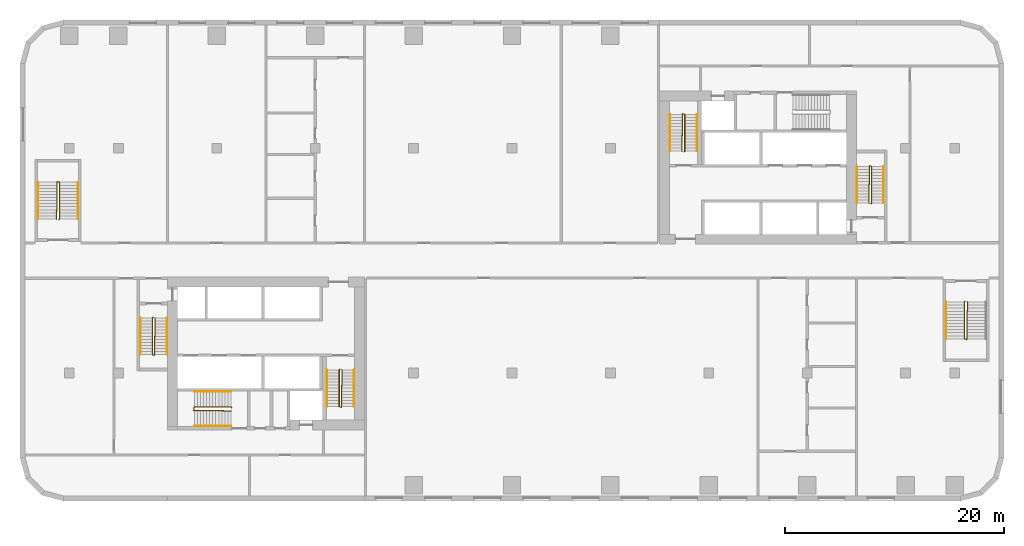
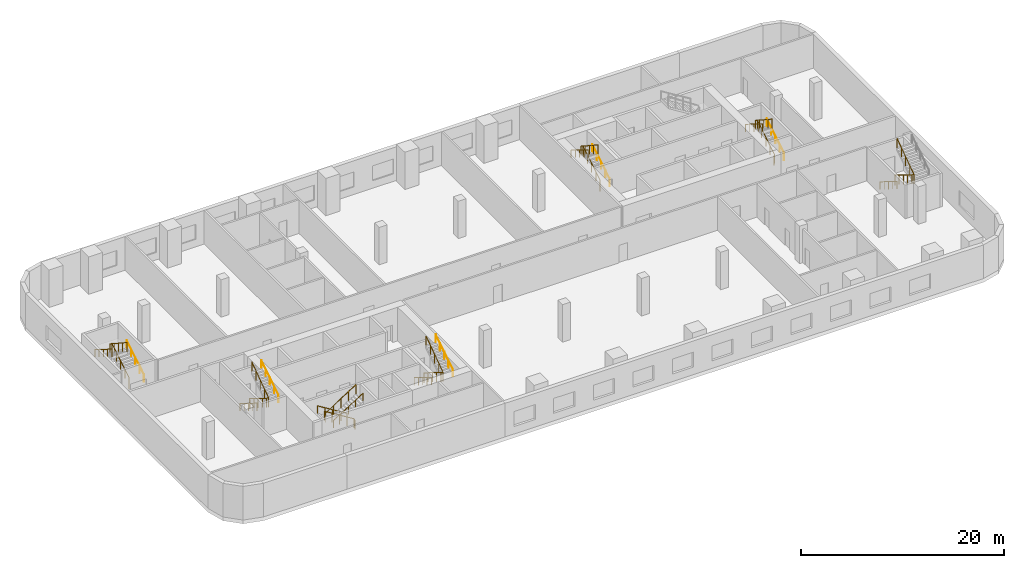
# One storey, part 14 of 15: 20 railings.
"""IFC4 building model written with IfcOpenShell, lengths in metres."""

from ifc_helpers import new_model, si_unit, direction, frame, origin, origin_2d, place, context, subcontext, project, spatial, circle, extrude, material, type_object, element, save


model = new_model("IFC4")

# Units and contexts
model_context = context("Model", 3, precision=1e-05, world=origin(), true_north=direction((0.0, 1.0)))
body_context = subcontext(model_context, "Body", "Model", "MODEL_VIEW")
ifc_project = project(units=[si_unit("LENGTHUNIT", "METRE"), si_unit("AREAUNIT", "SQUARE_METRE"), si_unit("VOLUMEUNIT", "CUBIC_METRE"), si_unit("PLANEANGLEUNIT", "RADIAN"), si_unit("MASSUNIT", "GRAM", prefix="KILO")], contexts=[model_context])

# Site, building, storey
site_placement = place(None, origin())
site = spatial("IfcSite", under=ifc_project, at=site_placement, CompositionType="ELEMENT")
building_placement = place(site_placement, origin())
building = spatial("IfcBuilding", under=site, at=building_placement, Name="Kajstack Hotel Tower", CompositionType="ELEMENT")
storey_placement = place(building_placement, frame((0.0, 0.0, 29.0)))
storey = spatial("IfcBuildingStorey", under=building, at=storey_placement, Name="L04", CompositionType="ELEMENT", Elevation=29.0)

# Railings
ifc_material = material(Name="Steel S355J2", Category="steel")
railing_type_1 = type_object("IfcRailingType", Name="Stair guard 1100", PredefinedType="GUARDRAIL", material=ifc_material)
railing_1_placement = place(storey_placement, frame((-32.85009765625, -5.199951171875, 0.0)))
element("IfcRailing", 1, at=railing_1_placement, inside=storey, type_object=railing_type_1, Name="L04 W1 stair guard 1", PredefinedType="GUARDRAIL", context=body_context, shape_type="SweptSolid", body=[
    extrude(circle(Radius=0.02392578125, at=origin_2d()), frame((0.0, 0.0, 1.076171875), z_axis=(-0.266417085129, -0.267723051232, 0.925929967433), x_axis=(0.708833529934, -0.705375805398, 0.0)), (0.0, 0.0, 1.0), 0.18701171875),
    extrude(circle(Radius=0.02392578125, at=origin_2d()), frame((-0.0498046875, -0.050048828125, 1.2490234375), z_axis=(0.0, -0.850623216509, 0.525775754039), x_axis=(1.0, 0.0, 0.0)), (0.0, 0.0, 1.0), 3.9501953125),
    extrude(circle(Radius=0.02392578125, at=origin_2d()), frame((-0.0498046875, -3.41015625, 3.326171875), z_axis=(0.970351222016, -0.241699205484, 0.0), x_axis=(0.241699205484, 0.970351222016, 0.0)), (0.0, 0.0, 1.0), 0.2060546875),
    extrude(circle(Radius=0.02392578125, at=origin_2d()), frame((0.150146484375, -3.4599609375, 3.326171875), z_axis=(0.012249917091, 0.834607765926, 0.550708467873), x_axis=(-0.999892303572, 0.014675873289, 0.0)), (0.0, 0.0, 1.0), 4.085693359375),
    extrude(circle(Radius=0.02099609375, at=origin_2d()), origin(), (0.0, 0.0, 1.0), 1.052001953125),
    extrude(circle(Radius=0.02099609375, at=origin_2d()), frame((-0.0498046875, -0.050048828125, 0.173095703125)), (0.0, 0.0, 1.0), 1.052001953125),
    extrude(circle(Radius=0.02099609375, at=origin_2d()), frame((-0.0498046875, -0.89013671875, 0.6923828125)), (0.0, 0.0, 1.0), 1.052001953125),
    extrude(circle(Radius=0.02099609375, at=origin_2d()), frame((-0.0498046875, -1.72998046875, 1.21142578125)), (0.0, 0.0, 1.0), 1.052001953125),
    extrude(circle(Radius=0.02099609375, at=origin_2d()), frame((-0.0498046875, -2.570068359375, 1.730712890625)), (0.0, 0.0, 1.0), 1.052001953125),
    extrude(circle(Radius=0.02099609375, at=origin_2d()), frame((-0.0498046875, -3.41015625, 2.25)), (0.0, 0.0, 1.0), 1.052001953125),
    extrude(circle(Radius=0.02099609375, at=origin_2d()), frame((0.150146484375, -3.4599609375, 2.25)), (0.0, 0.0, 1.0), 1.052001953125),
    extrude(circle(Radius=0.02099609375, at=origin_2d()), frame((0.16259765625, -2.607421875, 2.8125)), (0.0, 0.0, 1.0), 1.052001953125),
    extrude(circle(Radius=0.02099609375, at=origin_2d()), frame((0.17529296875, -1.7548828125, 3.375)), (0.0, 0.0, 1.0), 1.052001953125),
    extrude(circle(Radius=0.02099609375, at=origin_2d()), frame((0.187744140625, -0.902587890625, 3.9375)), (0.0, 0.0, 1.0), 1.052001953125),
    extrude(circle(Radius=0.02099609375, at=origin_2d()), frame((0.2001953125, -0.050048828125, 4.5)), (0.0, 0.0, 1.0), 1.052001953125),
])
railing_2_placement = place(storey_placement, frame((-15.75, -9.949951171875, 0.0)))
element("IfcRailing", 2, at=railing_2_placement, inside=storey, type_object=railing_type_1, Name="L04 W2 stair guard 1", PredefinedType="GUARDRAIL", context=body_context, shape_type="SweptSolid", body=[
    extrude(circle(Radius=0.02392578125, at=origin_2d()), frame((0.0, 0.0, 1.076171875), z_axis=(-0.267629722418, -0.267629722418, 0.925607186314), x_axis=(0.707106781187, -0.707106781187, 0.0)), (0.0, 0.0, 1.0), 0.18701171875),
    extrude(circle(Radius=0.02392578125, at=origin_2d()), frame((-0.050048828125, -0.050048828125, 1.2490234375), z_axis=(0.0, -0.850623216509, 0.525775754039), x_axis=(1.0, 0.0, 0.0)), (0.0, 0.0, 1.0), 3.9501953125),
    extrude(circle(Radius=0.02392578125, at=origin_2d()), frame((-0.050048828125, -3.41015625, 3.326171875), z_axis=(0.970351222016, -0.241699205484, 0.0), x_axis=(0.241699205484, 0.970351222016, 0.0)), (0.0, 0.0, 1.0), 0.2060546875),
    extrude(circle(Radius=0.02392578125, at=origin_2d()), frame((0.14990234375, -3.4599609375, 3.326171875), z_axis=(0.012249917091, 0.834607765926, 0.550708467873), x_axis=(-0.999892303572, 0.014675873289, 0.0)), (0.0, 0.0, 1.0), 4.085693359375),
    extrude(circle(Radius=0.02099609375, at=origin_2d()), origin(), (0.0, 0.0, 1.0), 1.052001953125),
    extrude(circle(Radius=0.02099609375, at=origin_2d()), frame((-0.050048828125, -0.050048828125, 0.173095703125)), (0.0, 0.0, 1.0), 1.052001953125),
    extrude(circle(Radius=0.02099609375, at=origin_2d()), frame((-0.050048828125, -0.89013671875, 0.6923828125)), (0.0, 0.0, 1.0), 1.052001953125),
    extrude(circle(Radius=0.02099609375, at=origin_2d()), frame((-0.050048828125, -1.72998046875, 1.21142578125)), (0.0, 0.0, 1.0), 1.052001953125),
    extrude(circle(Radius=0.02099609375, at=origin_2d()), frame((-0.050048828125, -2.570068359375, 1.730712890625)), (0.0, 0.0, 1.0), 1.052001953125),
    extrude(circle(Radius=0.02099609375, at=origin_2d()), frame((-0.050048828125, -3.41015625, 2.25)), (0.0, 0.0, 1.0), 1.052001953125),
    extrude(circle(Radius=0.02099609375, at=origin_2d()), frame((0.14990234375, -3.4599609375, 2.25)), (0.0, 0.0, 1.0), 1.052001953125),
    extrude(circle(Radius=0.02099609375, at=origin_2d()), frame((0.162353515625, -2.607421875, 2.8125)), (0.0, 0.0, 1.0), 1.052001953125),
    extrude(circle(Radius=0.02099609375, at=origin_2d()), frame((0.1748046875, -1.7548828125, 3.375)), (0.0, 0.0, 1.0), 1.052001953125),
    extrude(circle(Radius=0.02099609375, at=origin_2d()), frame((0.1875, -0.902587890625, 3.9375)), (0.0, 0.0, 1.0), 1.052001953125),
    extrude(circle(Radius=0.02099609375, at=origin_2d()), frame((0.199951171875, -0.050048828125, 4.5)), (0.0, 0.0, 1.0), 1.052001953125),
])
railing_3_placement = place(storey_placement, frame((-25.64990234375, -13.449951171875, 0.0)))
element("IfcRailing", 3, at=railing_3_placement, inside=storey, type_object=railing_type_1, Name="L04 W3 stair guard 1", PredefinedType="GUARDRAIL", context=body_context, shape_type="SweptSolid", body=[
    extrude(circle(Radius=0.02392578125, at=origin_2d()), frame((0.0, 0.0, 1.076171875), z_axis=(-0.267629722418, 0.267629722418, 0.925607186314), x_axis=(-0.707106781187, -0.707106781187, 0.0)), (0.0, 0.0, 1.0), 0.18701171875),
    extrude(circle(Radius=0.02392578125, at=origin_2d()), frame((-0.050048828125, 0.050048828125, 1.2490234375), z_axis=(-0.850623216509, 0.0, 0.525775754039), x_axis=(0.0, -1.0, 0.0)), (0.0, 0.0, 1.0), 3.9501953125),
    extrude(circle(Radius=0.02392578125, at=origin_2d()), frame((-3.41015625, 0.050048828125, 3.326171875), z_axis=(-0.164529134168, -0.986372223864, 0.0), x_axis=(0.986372223864, -0.164529134168, 0.0)), (0.0, 0.0, 1.0), 0.30419921875),
    extrude(circle(Radius=0.02392578125, at=origin_2d()), frame((-3.460205078125, -0.25, 3.326171875), z_axis=(0.834625896233, -0.01224930618, 0.5506810037), x_axis=(0.014674822837, 0.99989231899, 0.0)), (0.0, 0.0, 1.0), 4.0859375),
    extrude(circle(Radius=0.02099609375, at=origin_2d()), origin(), (0.0, 0.0, 1.0), 1.052001953125),
    extrude(circle(Radius=0.02099609375, at=origin_2d()), frame((-0.050048828125, 0.050048828125, 0.173095703125)), (0.0, 0.0, 1.0), 1.052001953125),
    extrude(circle(Radius=0.02099609375, at=origin_2d()), frame((-0.89013671875, 0.050048828125, 0.6923828125)), (0.0, 0.0, 1.0), 1.052001953125),
    extrude(circle(Radius=0.02099609375, at=origin_2d()), frame((-1.72998046875, 0.050048828125, 1.21142578125)), (0.0, 0.0, 1.0), 1.052001953125),
    extrude(circle(Radius=0.02099609375, at=origin_2d()), frame((-2.570068359375, 0.050048828125, 1.730712890625)), (0.0, 0.0, 1.0), 1.052001953125),
    extrude(circle(Radius=0.02099609375, at=origin_2d()), frame((-3.41015625, 0.050048828125, 2.25)), (0.0, 0.0, 1.0), 1.052001953125),
    extrude(circle(Radius=0.02099609375, at=origin_2d()), frame((-3.460205078125, -0.25, 2.25)), (0.0, 0.0, 1.0), 1.052001953125),
    extrude(circle(Radius=0.02099609375, at=origin_2d()), frame((-2.607666015625, -0.262451171875, 2.8125)), (0.0, 0.0, 1.0), 1.052001953125),
    extrude(circle(Radius=0.02099609375, at=origin_2d()), frame((-1.755126953125, -0.27490234375, 3.375)), (0.0, 0.0, 1.0), 1.052001953125),
    extrude(circle(Radius=0.02099609375, at=origin_2d()), frame((-0.902587890625, -0.28759765625, 3.9375)), (0.0, 0.0, 1.0), 1.052001953125),
    extrude(circle(Radius=0.02099609375, at=origin_2d()), frame((-0.050048828125, -0.300048828125, 4.5)), (0.0, 0.0, 1.0), 1.052001953125),
])
railing_4_placement = place(storey_placement, frame((32.85009765625, 5.199951171875, 0.0)))
element("IfcRailing", 4, at=railing_4_placement, inside=storey, type_object=railing_type_1, Name="L04 E1 stair guard 1", PredefinedType="GUARDRAIL", context=body_context, shape_type="SweptSolid", body=[
    extrude(circle(Radius=0.02392578125, at=origin_2d()), frame((0.0, 0.0, 1.076171875), z_axis=(0.266417085129, 0.267723051232, 0.925929967433), x_axis=(-0.708833529934, 0.705375805398, 0.0)), (0.0, 0.0, 1.0), 0.18701171875),
    extrude(circle(Radius=0.02392578125, at=origin_2d()), frame((0.0498046875, 0.050048828125, 1.2490234375), z_axis=(0.0, 0.850623216509, 0.525775754039), x_axis=(-1.0, 0.0, 0.0)), (0.0, 0.0, 1.0), 3.9501953125),
    extrude(circle(Radius=0.02392578125, at=origin_2d()), frame((0.0498046875, 3.41015625, 3.326171875), z_axis=(-0.970351222016, 0.241699205484, 0.0), x_axis=(-0.241699205484, -0.970351222016, 0.0)), (0.0, 0.0, 1.0), 0.2060546875),
    extrude(circle(Radius=0.02392578125, at=origin_2d()), frame((-0.150146484375, 3.4599609375, 3.326171875), z_axis=(-0.012249917091, -0.834607765926, 0.550708467873), x_axis=(0.999892303572, -0.014675873289, 0.0)), (0.0, 0.0, 1.0), 4.085693359375),
    extrude(circle(Radius=0.02099609375, at=origin_2d()), origin(), (0.0, 0.0, 1.0), 1.052001953125),
    extrude(circle(Radius=0.02099609375, at=origin_2d()), frame((0.0498046875, 0.050048828125, 0.173095703125)), (0.0, 0.0, 1.0), 1.052001953125),
    extrude(circle(Radius=0.02099609375, at=origin_2d()), frame((0.0498046875, 0.89013671875, 0.6923828125)), (0.0, 0.0, 1.0), 1.052001953125),
    extrude(circle(Radius=0.02099609375, at=origin_2d()), frame((0.0498046875, 1.72998046875, 1.21142578125)), (0.0, 0.0, 1.0), 1.052001953125),
    extrude(circle(Radius=0.02099609375, at=origin_2d()), frame((0.0498046875, 2.570068359375, 1.730712890625)), (0.0, 0.0, 1.0), 1.052001953125),
    extrude(circle(Radius=0.02099609375, at=origin_2d()), frame((0.0498046875, 3.41015625, 2.25)), (0.0, 0.0, 1.0), 1.052001953125),
    extrude(circle(Radius=0.02099609375, at=origin_2d()), frame((-0.150146484375, 3.4599609375, 2.25)), (0.0, 0.0, 1.0), 1.052001953125),
    extrude(circle(Radius=0.02099609375, at=origin_2d()), frame((-0.16259765625, 2.607421875, 2.8125)), (0.0, 0.0, 1.0), 1.052001953125),
    extrude(circle(Radius=0.02099609375, at=origin_2d()), frame((-0.17529296875, 1.7548828125, 3.375)), (0.0, 0.0, 1.0), 1.052001953125),
    extrude(circle(Radius=0.02099609375, at=origin_2d()), frame((-0.187744140625, 0.902587890625, 3.9375)), (0.0, 0.0, 1.0), 1.052001953125),
    extrude(circle(Radius=0.02099609375, at=origin_2d()), frame((-0.2001953125, 0.050048828125, 4.5)), (0.0, 0.0, 1.0), 1.052001953125),
])
railing_5_placement = place(storey_placement, frame((15.75, 9.949951171875, 0.0)))
element("IfcRailing", 5, at=railing_5_placement, inside=storey, type_object=railing_type_1, Name="L04 E2 stair guard 1", PredefinedType="GUARDRAIL", context=body_context, shape_type="SweptSolid", body=[
    extrude(circle(Radius=0.02392578125, at=origin_2d()), frame((0.0, 0.0, 1.076171875), z_axis=(0.267629722418, 0.267629722418, 0.925607186314), x_axis=(-0.707106781187, 0.707106781187, 0.0)), (0.0, 0.0, 1.0), 0.18701171875),
    extrude(circle(Radius=0.02392578125, at=origin_2d()), frame((0.050048828125, 0.050048828125, 1.2490234375), z_axis=(0.0, 0.850623216509, 0.525775754039), x_axis=(-1.0, 0.0, 0.0)), (0.0, 0.0, 1.0), 3.9501953125),
    extrude(circle(Radius=0.02392578125, at=origin_2d()), frame((0.050048828125, 3.41015625, 3.326171875), z_axis=(-0.970351222016, 0.241699205484, 0.0), x_axis=(-0.241699205484, -0.970351222016, 0.0)), (0.0, 0.0, 1.0), 0.2060546875),
    extrude(circle(Radius=0.02392578125, at=origin_2d()), frame((-0.14990234375, 3.4599609375, 3.326171875), z_axis=(-0.012249917091, -0.834607765926, 0.550708467873), x_axis=(0.999892303572, -0.014675873289, 0.0)), (0.0, 0.0, 1.0), 4.085693359375),
    extrude(circle(Radius=0.02099609375, at=origin_2d()), origin(), (0.0, 0.0, 1.0), 1.052001953125),
    extrude(circle(Radius=0.02099609375, at=origin_2d()), frame((0.050048828125, 0.050048828125, 0.173095703125)), (0.0, 0.0, 1.0), 1.052001953125),
    extrude(circle(Radius=0.02099609375, at=origin_2d()), frame((0.050048828125, 0.89013671875, 0.6923828125)), (0.0, 0.0, 1.0), 1.052001953125),
    extrude(circle(Radius=0.02099609375, at=origin_2d()), frame((0.050048828125, 1.72998046875, 1.21142578125)), (0.0, 0.0, 1.0), 1.052001953125),
    extrude(circle(Radius=0.02099609375, at=origin_2d()), frame((0.050048828125, 2.570068359375, 1.730712890625)), (0.0, 0.0, 1.0), 1.052001953125),
    extrude(circle(Radius=0.02099609375, at=origin_2d()), frame((0.050048828125, 3.41015625, 2.25)), (0.0, 0.0, 1.0), 1.052001953125),
    extrude(circle(Radius=0.02099609375, at=origin_2d()), frame((-0.14990234375, 3.4599609375, 2.25)), (0.0, 0.0, 1.0), 1.052001953125),
    extrude(circle(Radius=0.02099609375, at=origin_2d()), frame((-0.162353515625, 2.607421875, 2.8125)), (0.0, 0.0, 1.0), 1.052001953125),
    extrude(circle(Radius=0.02099609375, at=origin_2d()), frame((-0.1748046875, 1.7548828125, 3.375)), (0.0, 0.0, 1.0), 1.052001953125),
    extrude(circle(Radius=0.02099609375, at=origin_2d()), frame((-0.1875, 0.902587890625, 3.9375)), (0.0, 0.0, 1.0), 1.052001953125),
    extrude(circle(Radius=0.02099609375, at=origin_2d()), frame((-0.199951171875, 0.050048828125, 4.5)), (0.0, 0.0, 1.0), 1.052001953125),
])
railing_6_placement = place(storey_placement, frame((-41.449951171875, 3.75, 0.0)))
element("IfcRailing", 6, at=railing_6_placement, inside=storey, type_object=railing_type_1, Name="L04 P1 stair guard 1", PredefinedType="GUARDRAIL", context=body_context, shape_type="SweptSolid", body=[
    extrude(circle(Radius=0.02392578125, at=origin_2d()), frame((0.0, 0.0, 1.076171875), z_axis=(0.267629722418, 0.267629722418, 0.925607186314), x_axis=(-0.707106781187, 0.707106781187, 0.0)), (0.0, 0.0, 1.0), 0.18701171875),
    extrude(circle(Radius=0.02392578125, at=origin_2d()), frame((0.050048828125, 0.050048828125, 1.2490234375), z_axis=(0.0, 0.850606129759, 0.525803396734), x_axis=(-1.0, 0.0, 0.0)), (0.0, 0.0, 1.0), 3.949951171875),
    extrude(circle(Radius=0.02392578125, at=origin_2d()), frame((0.050048828125, 3.409912109375, 3.326171875), z_axis=(-0.970142500145, 0.242535625036, 0.0), x_axis=(-0.242535625036, -0.970142500145, 0.0)), (0.0, 0.0, 1.0), 0.206298828125),
    extrude(circle(Radius=0.02392578125, at=origin_2d()), frame((-0.150146484375, 3.4599609375, 3.326171875), z_axis=(-0.0121901703, -0.834608375372, 0.55070887001), x_axis=(0.999893351539, -0.01460429897, 0.0)), (0.0, 0.0, 1.0), 4.085693359375),
    extrude(circle(Radius=0.02099609375, at=origin_2d()), origin(), (0.0, 0.0, 1.0), 1.052001953125),
    extrude(circle(Radius=0.02099609375, at=origin_2d()), frame((0.050048828125, 0.050048828125, 0.173095703125)), (0.0, 0.0, 1.0), 1.052001953125),
    extrude(circle(Radius=0.02099609375, at=origin_2d()), frame((0.050048828125, 0.89013671875, 0.6923828125)), (0.0, 0.0, 1.0), 1.052001953125),
    extrude(circle(Radius=0.02099609375, at=origin_2d()), frame((0.050048828125, 1.72998046875, 1.21142578125)), (0.0, 0.0, 1.0), 1.052001953125),
    extrude(circle(Radius=0.02099609375, at=origin_2d()), frame((0.050048828125, 2.56982421875, 1.730712890625)), (0.0, 0.0, 1.0), 1.052001953125),
    extrude(circle(Radius=0.02099609375, at=origin_2d()), frame((0.050048828125, 3.409912109375, 2.25)), (0.0, 0.0, 1.0), 1.052001953125),
    extrude(circle(Radius=0.02099609375, at=origin_2d()), frame((-0.150146484375, 3.4599609375, 2.25)), (0.0, 0.0, 1.0), 1.052001953125),
    extrude(circle(Radius=0.02099609375, at=origin_2d()), frame((-0.16259765625, 2.607421875, 2.8125)), (0.0, 0.0, 1.0), 1.052001953125),
    extrude(circle(Radius=0.02099609375, at=origin_2d()), frame((-0.175048828125, 1.7548828125, 3.375)), (0.0, 0.0, 1.0), 1.052001953125),
    extrude(circle(Radius=0.02099609375, at=origin_2d()), frame((-0.1875, 0.902587890625, 3.9375)), (0.0, 0.0, 1.0), 1.052001953125),
    extrude(circle(Radius=0.02099609375, at=origin_2d()), frame((-0.199951171875, 0.050048828125, 4.5)), (0.0, 0.0, 1.0), 1.052001953125),
])
railing_7_placement = place(storey_placement, frame((41.449951171875, -3.75, 0.0)))
element("IfcRailing", 7, at=railing_7_placement, inside=storey, type_object=railing_type_1, Name="L04 P2 stair guard 1", PredefinedType="GUARDRAIL", context=body_context, shape_type="SweptSolid", body=[
    extrude(circle(Radius=0.02392578125, at=origin_2d()), frame((0.0, 0.0, 1.076171875), z_axis=(-0.267629722418, -0.267629722418, 0.925607186314), x_axis=(0.707106781187, -0.707106781187, 0.0)), (0.0, 0.0, 1.0), 0.18701171875),
    extrude(circle(Radius=0.02392578125, at=origin_2d()), frame((-0.050048828125, -0.050048828125, 1.2490234375), z_axis=(0.0, -0.850606129759, 0.525803396734), x_axis=(1.0, 0.0, 0.0)), (0.0, 0.0, 1.0), 3.949951171875),
    extrude(circle(Radius=0.02392578125, at=origin_2d()), frame((-0.050048828125, -3.409912109375, 3.326171875), z_axis=(0.970142500145, -0.242535625036, 0.0), x_axis=(0.242535625036, 0.970142500145, 0.0)), (0.0, 0.0, 1.0), 0.206298828125),
    extrude(circle(Radius=0.02392578125, at=origin_2d()), frame((0.150146484375, -3.4599609375, 3.326171875), z_axis=(0.0121901703, 0.834608375372, 0.55070887001), x_axis=(-0.999893351539, 0.01460429897, 0.0)), (0.0, 0.0, 1.0), 4.085693359375),
    extrude(circle(Radius=0.02099609375, at=origin_2d()), origin(), (0.0, 0.0, 1.0), 1.052001953125),
    extrude(circle(Radius=0.02099609375, at=origin_2d()), frame((-0.050048828125, -0.050048828125, 0.173095703125)), (0.0, 0.0, 1.0), 1.052001953125),
    extrude(circle(Radius=0.02099609375, at=origin_2d()), frame((-0.050048828125, -0.89013671875, 0.6923828125)), (0.0, 0.0, 1.0), 1.052001953125),
    extrude(circle(Radius=0.02099609375, at=origin_2d()), frame((-0.050048828125, -1.72998046875, 1.21142578125)), (0.0, 0.0, 1.0), 1.052001953125),
    extrude(circle(Radius=0.02099609375, at=origin_2d()), frame((-0.050048828125, -2.56982421875, 1.730712890625)), (0.0, 0.0, 1.0), 1.052001953125),
    extrude(circle(Radius=0.02099609375, at=origin_2d()), frame((-0.050048828125, -3.409912109375, 2.25)), (0.0, 0.0, 1.0), 1.052001953125),
    extrude(circle(Radius=0.02099609375, at=origin_2d()), frame((0.150146484375, -3.4599609375, 2.25)), (0.0, 0.0, 1.0), 1.052001953125),
    extrude(circle(Radius=0.02099609375, at=origin_2d()), frame((0.16259765625, -2.607421875, 2.8125)), (0.0, 0.0, 1.0), 1.052001953125),
    extrude(circle(Radius=0.02099609375, at=origin_2d()), frame((0.175048828125, -1.7548828125, 3.375)), (0.0, 0.0, 1.0), 1.052001953125),
    extrude(circle(Radius=0.02099609375, at=origin_2d()), frame((0.1875, -0.902587890625, 3.9375)), (0.0, 0.0, 1.0), 1.052001953125),
    extrude(circle(Radius=0.02099609375, at=origin_2d()), frame((0.199951171875, -0.050048828125, 4.5)), (0.0, 0.0, 1.0), 1.052001953125),
])
railing_type_2 = type_object("IfcRailingType", Name="Stair handrail 900", PredefinedType="HANDRAIL", material=ifc_material)
railing_8_placement = place(storey_placement, frame((-34.0, -5.25, 0.173095703125)))
element("IfcRailing", 8, at=railing_8_placement, inside=storey, type_object=railing_type_2, Name="L04 W1 stair handrail 1", PredefinedType="HANDRAIL", context=body_context, shape_type="SweptSolid", body=[
    extrude(circle(Radius=0.02392578125, at=origin_2d()), frame((0.0, 0.0, 0.8759765625), z_axis=(0.0, -0.850623216509, 0.525775754039), x_axis=(1.0, 0.0, 0.0)), (0.0, 0.0, 1.0), 3.9501953125),
    extrude(circle(Radius=0.02099609375, at=origin_2d()), origin(), (0.0, 0.0, 1.0), 0.851806640625),
    extrude(circle(Radius=0.02099609375, at=origin_2d()), frame((0.0, -0.840087890625, 0.519287109375)), (0.0, 0.0, 1.0), 0.851806640625),
    extrude(circle(Radius=0.02099609375, at=origin_2d()), frame((0.0, -1.68017578125, 1.03857421875)), (0.0, 0.0, 1.0), 0.851806640625),
    extrude(circle(Radius=0.02099609375, at=origin_2d()), frame((0.0, -2.52001953125, 1.5576171875)), (0.0, 0.0, 1.0), 0.851806640625),
    extrude(circle(Radius=0.02099609375, at=origin_2d()), frame((0.0, -3.360107421875, 2.076904296875)), (0.0, 0.0, 1.0), 0.851806640625),
])
railing_9_placement = place(storey_placement, frame((-31.550048828125, -8.610107421875, 2.423095703125)))
element("IfcRailing", 9, at=railing_9_placement, inside=storey, type_object=railing_type_2, Name="L04 W1 stair handrail 2", PredefinedType="HANDRAIL", context=body_context, shape_type="SweptSolid", body=[
    extrude(circle(Radius=0.02392578125, at=origin_2d()), frame((0.0, 0.0, 0.8759765625), z_axis=(0.0, 0.850623216509, 0.525775754039), x_axis=(-1.0, 0.0, 0.0)), (0.0, 0.0, 1.0), 3.9501953125),
    extrude(circle(Radius=0.02099609375, at=origin_2d()), origin(), (0.0, 0.0, 1.0), 0.851806640625),
    extrude(circle(Radius=0.02099609375, at=origin_2d()), frame((0.0, 0.840087890625, 0.519287109375)), (0.0, 0.0, 1.0), 0.851806640625),
    extrude(circle(Radius=0.02099609375, at=origin_2d()), frame((0.0, 1.68017578125, 1.03857421875)), (0.0, 0.0, 1.0), 0.851806640625),
    extrude(circle(Radius=0.02099609375, at=origin_2d()), frame((0.0, 2.52001953125, 1.5576171875)), (0.0, 0.0, 1.0), 0.851806640625),
    extrude(circle(Radius=0.02099609375, at=origin_2d()), frame((0.0, 3.360107421875, 2.076904296875)), (0.0, 0.0, 1.0), 0.851806640625),
])
railing_10_placement = place(storey_placement, frame((-16.89990234375, -10.0, 0.173095703125)))
element("IfcRailing", 10, at=railing_10_placement, inside=storey, type_object=railing_type_2, Name="L04 W2 stair handrail 1", PredefinedType="HANDRAIL", context=body_context, shape_type="SweptSolid", body=[
    extrude(circle(Radius=0.02392578125, at=origin_2d()), frame((0.0, 0.0, 0.8759765625), z_axis=(0.0, -0.850623216509, 0.525775754039), x_axis=(1.0, 0.0, 0.0)), (0.0, 0.0, 1.0), 3.9501953125),
    extrude(circle(Radius=0.02099609375, at=origin_2d()), origin(), (0.0, 0.0, 1.0), 0.851806640625),
    extrude(circle(Radius=0.02099609375, at=origin_2d()), frame((0.0, -0.840087890625, 0.519287109375)), (0.0, 0.0, 1.0), 0.851806640625),
    extrude(circle(Radius=0.02099609375, at=origin_2d()), frame((0.0, -1.68017578125, 1.03857421875)), (0.0, 0.0, 1.0), 0.851806640625),
    extrude(circle(Radius=0.02099609375, at=origin_2d()), frame((0.0, -2.52001953125, 1.5576171875)), (0.0, 0.0, 1.0), 0.851806640625),
    extrude(circle(Radius=0.02099609375, at=origin_2d()), frame((0.0, -3.360107421875, 2.076904296875)), (0.0, 0.0, 1.0), 0.851806640625),
])
railing_11_placement = place(storey_placement, frame((-14.449951171875, -13.360107421875, 2.423095703125)))
element("IfcRailing", 11, at=railing_11_placement, inside=storey, type_object=railing_type_2, Name="L04 W2 stair handrail 2", PredefinedType="HANDRAIL", context=body_context, shape_type="SweptSolid", body=[
    extrude(circle(Radius=0.02392578125, at=origin_2d()), frame((0.0, 0.0, 0.8759765625), z_axis=(0.0, 0.850623216509, 0.525775754039), x_axis=(-1.0, 0.0, 0.0)), (0.0, 0.0, 1.0), 3.9501953125),
    extrude(circle(Radius=0.02099609375, at=origin_2d()), origin(), (0.0, 0.0, 1.0), 0.851806640625),
    extrude(circle(Radius=0.02099609375, at=origin_2d()), frame((0.0, 0.840087890625, 0.519287109375)), (0.0, 0.0, 1.0), 0.851806640625),
    extrude(circle(Radius=0.02099609375, at=origin_2d()), frame((0.0, 1.68017578125, 1.03857421875)), (0.0, 0.0, 1.0), 0.851806640625),
    extrude(circle(Radius=0.02099609375, at=origin_2d()), frame((0.0, 2.52001953125, 1.5576171875)), (0.0, 0.0, 1.0), 0.851806640625),
    extrude(circle(Radius=0.02099609375, at=origin_2d()), frame((0.0, 3.360107421875, 2.076904296875)), (0.0, 0.0, 1.0), 0.851806640625),
])
railing_12_placement = place(storey_placement, frame((-25.699951171875, -12.0, 0.173095703125)))
element("IfcRailing", 12, at=railing_12_placement, inside=storey, type_object=railing_type_2, Name="L04 W3 stair handrail 1", PredefinedType="HANDRAIL", context=body_context, shape_type="SweptSolid", body=[
    extrude(circle(Radius=0.02392578125, at=origin_2d()), frame((0.0, 0.0, 0.8759765625), z_axis=(-0.850623216509, 0.0, 0.525775754039), x_axis=(0.0, -1.0, 0.0)), (0.0, 0.0, 1.0), 3.9501953125),
    extrude(circle(Radius=0.02099609375, at=origin_2d()), origin(), (0.0, 0.0, 1.0), 0.851806640625),
    extrude(circle(Radius=0.02099609375, at=origin_2d()), frame((-0.840087890625, 0.0, 0.519287109375)), (0.0, 0.0, 1.0), 0.851806640625),
    extrude(circle(Radius=0.02099609375, at=origin_2d()), frame((-1.68017578125, 0.0, 1.03857421875)), (0.0, 0.0, 1.0), 0.851806640625),
    extrude(circle(Radius=0.02099609375, at=origin_2d()), frame((-2.52001953125, 0.0, 1.5576171875)), (0.0, 0.0, 1.0), 0.851806640625),
    extrude(circle(Radius=0.02099609375, at=origin_2d()), frame((-3.360107421875, 0.0, 2.076904296875)), (0.0, 0.0, 1.0), 0.851806640625),
])
railing_13_placement = place(storey_placement, frame((-29.06005859375, -15.14990234375, 2.423095703125)))
element("IfcRailing", 13, at=railing_13_placement, inside=storey, type_object=railing_type_2, Name="L04 W3 stair handrail 2", PredefinedType="HANDRAIL", context=body_context, shape_type="SweptSolid", body=[
    extrude(circle(Radius=0.02392578125, at=origin_2d()), frame((0.0, 0.0, 0.8759765625), z_axis=(0.850623216509, 0.0, 0.525775754039), x_axis=(0.0, 1.0, 0.0)), (0.0, 0.0, 1.0), 3.9501953125),
    extrude(circle(Radius=0.02099609375, at=origin_2d()), origin(), (0.0, 0.0, 1.0), 0.851806640625),
    extrude(circle(Radius=0.02099609375, at=origin_2d()), frame((0.840087890625, 0.0, 0.519287109375)), (0.0, 0.0, 1.0), 0.851806640625),
    extrude(circle(Radius=0.02099609375, at=origin_2d()), frame((1.68017578125, 0.0, 1.03857421875)), (0.0, 0.0, 1.0), 0.851806640625),
    extrude(circle(Radius=0.02099609375, at=origin_2d()), frame((2.52001953125, 0.0, 1.5576171875)), (0.0, 0.0, 1.0), 0.851806640625),
    extrude(circle(Radius=0.02099609375, at=origin_2d()), frame((3.360107421875, 0.0, 2.076904296875)), (0.0, 0.0, 1.0), 0.851806640625),
])
railing_14_placement = place(storey_placement, frame((34.0, 5.25, 0.173095703125)))
element("IfcRailing", 14, at=railing_14_placement, inside=storey, type_object=railing_type_2, Name="L04 E1 stair handrail 1", PredefinedType="HANDRAIL", context=body_context, shape_type="SweptSolid", body=[
    extrude(circle(Radius=0.02392578125, at=origin_2d()), frame((0.0, 0.0, 0.8759765625), z_axis=(0.0, 0.850623216509, 0.525775754039), x_axis=(-1.0, 0.0, 0.0)), (0.0, 0.0, 1.0), 3.9501953125),
    extrude(circle(Radius=0.02099609375, at=origin_2d()), origin(), (0.0, 0.0, 1.0), 0.851806640625),
    extrude(circle(Radius=0.02099609375, at=origin_2d()), frame((0.0, 0.840087890625, 0.519287109375)), (0.0, 0.0, 1.0), 0.851806640625),
    extrude(circle(Radius=0.02099609375, at=origin_2d()), frame((0.0, 1.68017578125, 1.03857421875)), (0.0, 0.0, 1.0), 0.851806640625),
    extrude(circle(Radius=0.02099609375, at=origin_2d()), frame((0.0, 2.52001953125, 1.5576171875)), (0.0, 0.0, 1.0), 0.851806640625),
    extrude(circle(Radius=0.02099609375, at=origin_2d()), frame((0.0, 3.360107421875, 2.076904296875)), (0.0, 0.0, 1.0), 0.851806640625),
])
railing_15_placement = place(storey_placement, frame((31.550048828125, 8.610107421875, 2.423095703125)))
element("IfcRailing", 15, at=railing_15_placement, inside=storey, type_object=railing_type_2, Name="L04 E1 stair handrail 2", PredefinedType="HANDRAIL", context=body_context, shape_type="SweptSolid", body=[
    extrude(circle(Radius=0.02392578125, at=origin_2d()), frame((0.0, 0.0, 0.8759765625), z_axis=(0.0, -0.850623216509, 0.525775754039), x_axis=(1.0, 0.0, 0.0)), (0.0, 0.0, 1.0), 3.9501953125),
    extrude(circle(Radius=0.02099609375, at=origin_2d()), origin(), (0.0, 0.0, 1.0), 0.851806640625),
    extrude(circle(Radius=0.02099609375, at=origin_2d()), frame((0.0, -0.840087890625, 0.519287109375)), (0.0, 0.0, 1.0), 0.851806640625),
    extrude(circle(Radius=0.02099609375, at=origin_2d()), frame((0.0, -1.68017578125, 1.03857421875)), (0.0, 0.0, 1.0), 0.851806640625),
    extrude(circle(Radius=0.02099609375, at=origin_2d()), frame((0.0, -2.52001953125, 1.5576171875)), (0.0, 0.0, 1.0), 0.851806640625),
    extrude(circle(Radius=0.02099609375, at=origin_2d()), frame((0.0, -3.360107421875, 2.076904296875)), (0.0, 0.0, 1.0), 0.851806640625),
])
railing_16_placement = place(storey_placement, frame((16.89990234375, 10.0, 0.173095703125)))
element("IfcRailing", 16, at=railing_16_placement, inside=storey, type_object=railing_type_2, Name="L04 E2 stair handrail 1", PredefinedType="HANDRAIL", context=body_context, shape_type="SweptSolid", body=[
    extrude(circle(Radius=0.02392578125, at=origin_2d()), frame((0.0, 0.0, 0.8759765625), z_axis=(0.0, 0.850623216509, 0.525775754039), x_axis=(-1.0, 0.0, 0.0)), (0.0, 0.0, 1.0), 3.9501953125),
    extrude(circle(Radius=0.02099609375, at=origin_2d()), origin(), (0.0, 0.0, 1.0), 0.851806640625),
    extrude(circle(Radius=0.02099609375, at=origin_2d()), frame((0.0, 0.840087890625, 0.519287109375)), (0.0, 0.0, 1.0), 0.851806640625),
    extrude(circle(Radius=0.02099609375, at=origin_2d()), frame((0.0, 1.68017578125, 1.03857421875)), (0.0, 0.0, 1.0), 0.851806640625),
    extrude(circle(Radius=0.02099609375, at=origin_2d()), frame((0.0, 2.52001953125, 1.5576171875)), (0.0, 0.0, 1.0), 0.851806640625),
    extrude(circle(Radius=0.02099609375, at=origin_2d()), frame((0.0, 3.360107421875, 2.076904296875)), (0.0, 0.0, 1.0), 0.851806640625),
])
railing_17_placement = place(storey_placement, frame((14.449951171875, 13.360107421875, 2.423095703125)))
element("IfcRailing", 17, at=railing_17_placement, inside=storey, type_object=railing_type_2, Name="L04 E2 stair handrail 2", PredefinedType="HANDRAIL", context=body_context, shape_type="SweptSolid", body=[
    extrude(circle(Radius=0.02392578125, at=origin_2d()), frame((0.0, 0.0, 0.8759765625), z_axis=(0.0, -0.850623216509, 0.525775754039), x_axis=(1.0, 0.0, 0.0)), (0.0, 0.0, 1.0), 3.9501953125),
    extrude(circle(Radius=0.02099609375, at=origin_2d()), origin(), (0.0, 0.0, 1.0), 0.851806640625),
    extrude(circle(Radius=0.02099609375, at=origin_2d()), frame((0.0, -0.840087890625, 0.519287109375)), (0.0, 0.0, 1.0), 0.851806640625),
    extrude(circle(Radius=0.02099609375, at=origin_2d()), frame((0.0, -1.68017578125, 1.03857421875)), (0.0, 0.0, 1.0), 0.851806640625),
    extrude(circle(Radius=0.02099609375, at=origin_2d()), frame((0.0, -2.52001953125, 1.5576171875)), (0.0, 0.0, 1.0), 0.851806640625),
    extrude(circle(Radius=0.02099609375, at=origin_2d()), frame((0.0, -3.360107421875, 2.076904296875)), (0.0, 0.0, 1.0), 0.851806640625),
])
railing_18_placement = place(storey_placement, frame((-39.699951171875, 3.800048828125, 0.173095703125)))
element("IfcRailing", 18, at=railing_18_placement, inside=storey, type_object=railing_type_2, Name="L04 P1 stair handrail 1", PredefinedType="HANDRAIL", context=body_context, shape_type="SweptSolid", body=[
    extrude(circle(Radius=0.02392578125, at=origin_2d()), frame((0.0, 0.0, 0.8759765625), z_axis=(0.0, 0.850606129759, 0.525803396734), x_axis=(-1.0, 0.0, 0.0)), (0.0, 0.0, 1.0), 3.949951171875),
    extrude(circle(Radius=0.02099609375, at=origin_2d()), origin(), (0.0, 0.0, 1.0), 0.851806640625),
    extrude(circle(Radius=0.02099609375, at=origin_2d()), frame((0.0, 0.83984375, 0.519287109375)), (0.0, 0.0, 1.0), 0.851806640625),
    extrude(circle(Radius=0.02099609375, at=origin_2d()), frame((0.0, 1.679931640625, 1.03857421875)), (0.0, 0.0, 1.0), 0.851806640625),
    extrude(circle(Radius=0.02099609375, at=origin_2d()), frame((0.0, 2.52001953125, 1.5576171875)), (0.0, 0.0, 1.0), 0.851806640625),
    extrude(circle(Radius=0.02099609375, at=origin_2d()), frame((0.0, 3.35986328125, 2.076904296875)), (0.0, 0.0, 1.0), 0.851806640625),
])
for number, where, name in (
    (19, (-43.35009765625, 7.159912109375, 2.423095703125), "L04 P1 stair handrail 2"),
    (20, (39.699951171875, -3.800048828125, 0.173095703125), "L04 P2 stair handrail 1"),
):
    element("IfcRailing", number, at=place(storey_placement, frame(where)), inside=storey, type_object=railing_type_2, Name=name, PredefinedType="HANDRAIL", context=body_context, shape_type="SweptSolid", body=[
        extrude(circle(Radius=0.02392578125, at=origin_2d()), frame((0.0, 0.0, 0.8759765625), z_axis=(0.0, -0.850606129759, 0.525803396734), x_axis=(1.0, 0.0, 0.0)), (0.0, 0.0, 1.0), 3.949951171875),
        extrude(circle(Radius=0.02099609375, at=origin_2d()), origin(), (0.0, 0.0, 1.0), 0.851806640625),
        extrude(circle(Radius=0.02099609375, at=origin_2d()), frame((0.0, -0.83984375, 0.519287109375)), (0.0, 0.0, 1.0), 0.851806640625),
        extrude(circle(Radius=0.02099609375, at=origin_2d()), frame((0.0, -1.679931640625, 1.03857421875)), (0.0, 0.0, 1.0), 0.851806640625),
        extrude(circle(Radius=0.02099609375, at=origin_2d()), frame((0.0, -2.52001953125, 1.5576171875)), (0.0, 0.0, 1.0), 0.851806640625),
        extrude(circle(Radius=0.02099609375, at=origin_2d()), frame((0.0, -3.35986328125, 2.076904296875)), (0.0, 0.0, 1.0), 0.851806640625),
    ])

save(model, "model.ifc")
